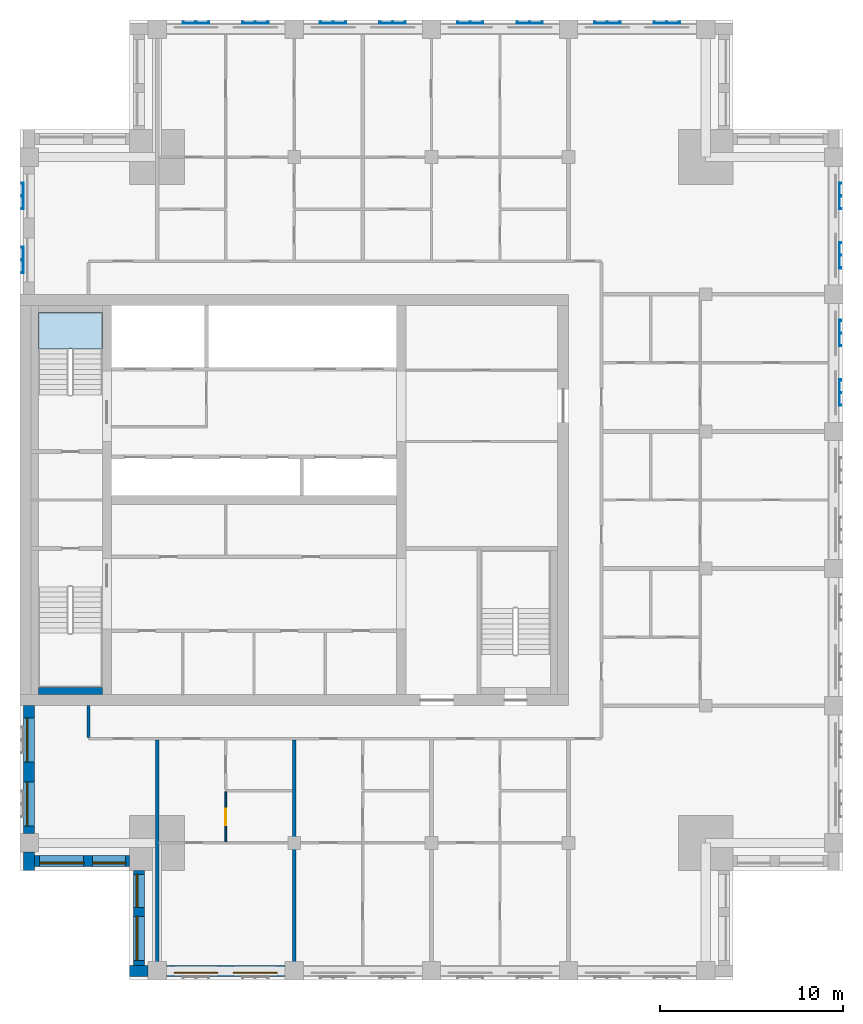
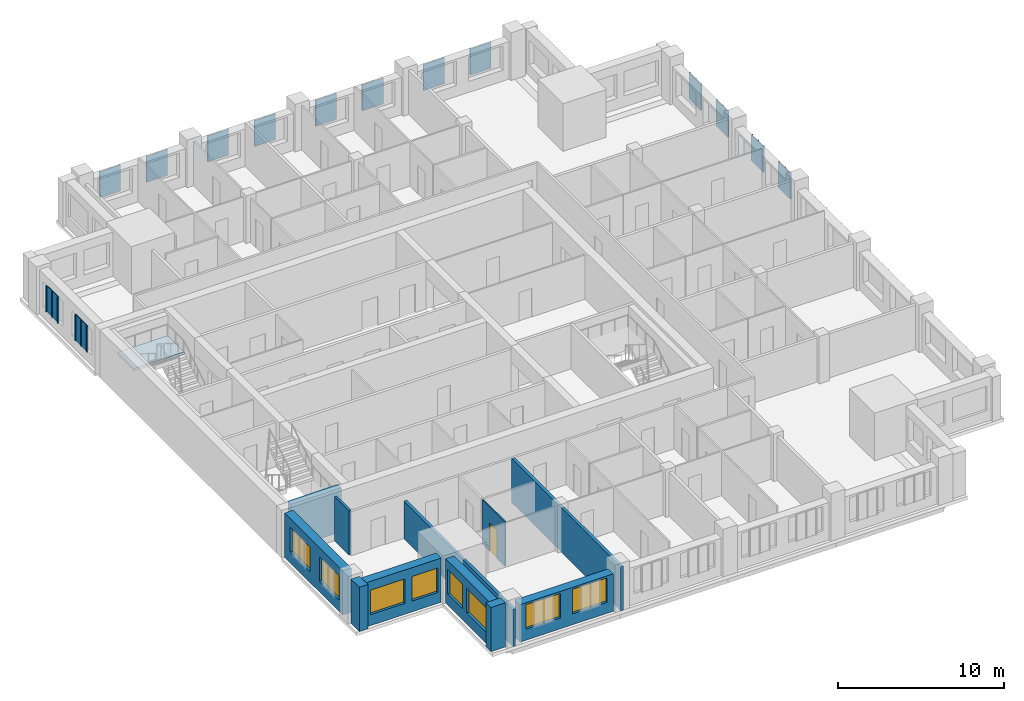
# One storey, part 2 of 10: 14 plates, 11 walls, 8 windows, 1 door, 1 slab, 9 openings, 1 element without a shape of its own.
"""IFC4 building model written with IfcOpenShell, lengths in metres."""

import ifcopenshell
import ifcopenshell.guid

model = None  # the IFC model being written
_history = None  # IfcOwnerHistory: only IFC2X3 demands one
_inside = {}  # id of a spatial element -> (the spatial element, [elements in it])
_under = {}  # id of a project, library or spatial element -> (it, [spatial elements below it])
_declared = {}  # id of a project -> (the project, [libraries it declares])
_typed = {}  # id of a type object -> (the type object, [elements of that type])
_made_of = {}  # id of a material, layer set ... -> (it, [elements and type objects made of it])


def new_model(schema):
    """Start an empty IFC model of exactly this schema.

    Asked for "IFC4X3", IfcOpenShell would pick the latest addendum, in which some entities
    have other attributes; the version numbers below select the first issue.
    IFC2X3 requires an IfcOwnerHistory on every rooted entity: one is made here for all.
    """
    global model, _history
    if schema == "IFC4X3":
        model = ifcopenshell.file(schema_version=(4, 3, 0, 0))
    else:
        model = ifcopenshell.file(schema=schema)
    _inside.clear()
    _under.clear()
    _declared.clear()
    _typed.clear()
    _made_of.clear()
    _history = None
    if model.schema == "IFC2X3":
        org = make("IfcOrganization", Name="unknown")
        user = make(
            "IfcPersonAndOrganization",
            ThePerson=make("IfcPerson", FamilyName="unknown"),
            TheOrganization=org,
        )
        app = make(
            "IfcApplication",
            ApplicationDeveloper=org,
            Version="unknown",
            ApplicationFullName="unknown",
            ApplicationIdentifier="unknown",
        )
        _history = make(
            "IfcOwnerHistory",
            OwningUser=user,
            OwningApplication=app,
            ChangeAction="ADDED",
            CreationDate=0,
        )
    return model


def make(cls, **values):
    """One entity of the class cls with the attributes given. An attribute that is None is left unset."""
    return model.create_entity(
        cls, **{name: value for name, value in values.items() if value is not None}
    )


def rooted(cls, **values):
    """An entity with a GlobalId (a new one), such as an element, a storey or a relation."""
    return make(cls, GlobalId=ifcopenshell.guid.new(), OwnerHistory=_history, **values)


def si_unit(unit_type, name, prefix=None):
    """IfcSIUnit, for example si_unit("LENGTHUNIT", "METRE", prefix="MILLI")."""
    return make("IfcSIUnit", UnitType=unit_type, Prefix=prefix, Name=name)


def assignment(units):
    """IfcUnitAssignment: the units of a project."""
    return None if units is None else make("IfcUnitAssignment", Units=units)


def point(xyz):
    """IfcCartesianPoint."""
    return None if xyz is None else make("IfcCartesianPoint", Coordinates=xyz)


def direction(xyz):
    """IfcDirection."""
    return None if xyz is None else make("IfcDirection", DirectionRatios=xyz)


def frame(location, z_axis=None, x_axis=None):
    """IfcAxis2Placement3D, a coordinate frame: its origin and axes. An axis left out is left unset."""
    return make(
        "IfcAxis2Placement3D",
        Location=point(location),
        Axis=direction(z_axis),
        RefDirection=direction(x_axis),
    )


def frame_2d(location, x_axis=None):
    """IfcAxis2Placement2D, a coordinate frame in the plane: its origin and x axis."""
    return make(
        "IfcAxis2Placement2D", Location=point(location), RefDirection=direction(x_axis)
    )


def origin():
    """The frame at (0, 0, 0) with its axes left unset."""
    return frame((0.0, 0.0, 0.0))


def place(relative_to, where):
    """IfcLocalPlacement: puts the frame where relative to a parent placement (None: the world)."""
    return make(
        "IfcLocalPlacement", PlacementRelTo=relative_to, RelativePlacement=where
    )


def context(
    kind, dimensions, precision=None, world=None, true_north=None, identifier=None
):
    """IfcGeometricRepresentationContext, for example the 3D "Model" context."""
    return make(
        "IfcGeometricRepresentationContext",
        ContextIdentifier=identifier,
        ContextType=kind,
        CoordinateSpaceDimension=dimensions,
        Precision=precision,
        WorldCoordinateSystem=world,
        TrueNorth=true_north,
    )


def subcontext(parent, identifier, kind, view, scale=None):
    """IfcGeometricRepresentationSubContext, for example "Body" below "Model"."""
    return make(
        "IfcGeometricRepresentationSubContext",
        ContextIdentifier=identifier,
        ContextType=kind,
        ParentContext=parent,
        TargetScale=scale,
        TargetView=view,
    )


def project(units=None, contexts=None):
    """IfcProject with its units and contexts."""
    return rooted(
        "IfcProject",
        Name="project",
        RepresentationContexts=contexts,
        UnitsInContext=assignment(units),
    )


def spatial(cls, under=None, at=None, **own):
    """A site, building, storey or space (cls), placed at a placement, below another one or the project."""
    s = rooted(cls, ObjectPlacement=at, **own)
    if under is not None:
        _under.setdefault(under.id(), (under, []))[1].append(s)
    return s


def polyline(points):
    """IfcPolyline through the points."""
    return make("IfcPolyline", Points=[point(p) for p in points])


def profile(cls, at=None, kind="AREA", **sizes):
    """A parametric profile (cls). Its sizes go by their IFC names, for example OverallWidth=200.0."""
    return make(cls, ProfileType=kind, Position=at, **sizes)


def rectangle(**sizes):
    """IfcRectangleProfileDef."""
    return profile("IfcRectangleProfileDef", **sizes)


def outline(outer, holes=None, kind="AREA"):
    """IfcArbitraryClosedProfileDef: a profile drawn as a closed curve; with holes, ...WithVoids."""
    if holes is None:
        return make("IfcArbitraryClosedProfileDef", ProfileType=kind, OuterCurve=outer)
    return make(
        "IfcArbitraryProfileDefWithVoids",
        ProfileType=kind,
        OuterCurve=outer,
        InnerCurves=holes,
    )


def extrude(swept, where, along, depth):
    """IfcExtrudedAreaSolid: the profile swept, set in the frame where, extruded along a direction by depth."""
    return make(
        "IfcExtrudedAreaSolid",
        SweptArea=swept,
        Position=where,
        ExtrudedDirection=direction(along),
        Depth=depth,
    )


def shape(context_of_items, identifier, shape_type, items):
    """IfcShapeRepresentation: the items that make up one representation, for example the "Body"."""
    return make(
        "IfcShapeRepresentation",
        ContextOfItems=context_of_items,
        RepresentationIdentifier=identifier,
        RepresentationType=shape_type,
        Items=items,
    )


def material(Name=None, Category=None):
    """IfcMaterial."""
    return make("IfcMaterial", Name=Name, Category=Category)


def layer(
    of_material, thickness, ventilated=None, Name=None, Category=None, Priority=None
):
    """IfcMaterialLayer: one layer of a wall or slab, of a material (None: an air gap)."""
    return make(
        "IfcMaterialLayer",
        Material=of_material,
        LayerThickness=thickness,
        IsVentilated=ventilated,
        Name=Name,
        Category=Category,
        Priority=Priority,
    )


def layer_set(layers, Name=None):
    """IfcMaterialLayerSet."""
    return make("IfcMaterialLayerSet", MaterialLayers=layers, LayerSetName=Name)


def made_of(thing, what):
    """Note that an element or type object is made of a material, layer set ...; save() writes the relation."""
    if what is not None:
        _made_of.setdefault(what.id(), (what, []))[1].append(thing)
    return thing


def type_object(cls, material=None, **own):
    """A type object (cls), such as IfcWallType, which elements share."""
    return made_of(rooted(cls, **own), material)


def element(
    cls,
    number,
    at=None,
    inside=None,
    cuts=None,
    type_object=None,
    material=None,
    context=None,
    identifier="Body",
    shape_type=None,
    held_by="IfcProductDefinitionShape",
    body=None,
    shapes=None,
    **own,
):
    """One element of the class cls, such as IfcWall. Its Tag is "e" and its number.

    at: its placement. inside: the storey or other place that contains it. cuts: it is an
    opening in that element (IfcRelVoidsElement). A single representation is given by context,
    identifier, shape_type and body (its items); several are given by shapes. held_by: the class
    of the entity that holds the representations. save() writes the other relations.
    """
    e = rooted(cls, Tag="e%d" % number, ObjectPlacement=at, **own)
    if body is not None:
        shapes = [shape(context, identifier, shape_type, body)]
    if shapes is not None:
        e.Representation = make(held_by, Representations=shapes)
    if inside is not None:
        _inside.setdefault(inside.id(), (inside, []))[1].append(e)
    if cuts is not None:
        rooted(
            "IfcRelVoidsElement", RelatingBuildingElement=cuts, RelatedOpeningElement=e
        )
    if type_object is not None:
        _typed.setdefault(type_object.id(), (type_object, []))[1].append(e)
    return made_of(e, material)


def fill(opening, filler):
    """IfcRelFillsElement: the door or window that sits in an opening."""
    return rooted(
        "IfcRelFillsElement",
        RelatingOpeningElement=opening,
        RelatedBuildingElement=filler,
    )


def aggregate(whole, parts):
    """IfcRelAggregates: a whole, such as a stair, and the parts it consists of."""
    return rooted("IfcRelAggregates", RelatingObject=whole, RelatedObjects=parts)


def save(model, path):
    """Write the relations noted so far, then the file.

    IfcRelAggregates (storeys below a building ...), IfcRelContainedInSpatialStructure (elements
    in a storey), IfcRelDefinesByType, IfcRelAssociatesMaterial and IfcRelDeclares: one each for
    every whole, place, type object, material and project.
    """
    for whole, parts in _under.values():
        aggregate(whole, parts)
    for where, things in _inside.values():
        rooted(
            "IfcRelContainedInSpatialStructure",
            RelatedElements=things,
            RelatingStructure=where,
        )
    for kind, things in _typed.values():
        rooted("IfcRelDefinesByType", RelatedObjects=things, RelatingType=kind)
    for what, things in _made_of.values():
        rooted("IfcRelAssociatesMaterial", RelatedObjects=things, RelatingMaterial=what)
    for by, libraries in _declared.values():
        rooted("IfcRelDeclares", RelatingContext=by, RelatedDefinitions=libraries)
    model.write(path)


model = new_model("IFC4")

# Units and contexts
model_context = context("Model", 3, precision=1e-05, world=origin(), true_north=direction((0.0, 1.0)))
body_context = subcontext(model_context, "Body", "Model", "MODEL_VIEW")
ifc_project = project(units=[si_unit("LENGTHUNIT", "METRE"), si_unit("AREAUNIT", "SQUARE_METRE"), si_unit("VOLUMEUNIT", "CUBIC_METRE"), si_unit("PLANEANGLEUNIT", "RADIAN"), si_unit("MASSUNIT", "GRAM", prefix="KILO")], contexts=[model_context])

# Site, building, storey
site_placement = place(None, origin())
site = spatial("IfcSite", under=ifc_project, at=site_placement, CompositionType="ELEMENT")
building_placement = place(site_placement, origin())
building = spatial("IfcBuilding", under=site, at=building_placement, Name="Tamorin Gate", CompositionType="ELEMENT")
storey_placement = place(building_placement, frame((0.0, 0.0, 276.699951171875)))
storey = spatial("IfcBuildingStorey", under=building, at=storey_placement, Name="L69", CompositionType="ELEMENT", Elevation=276.699951171875)

# Stair, slab
ifc_material_1 = material(Name="Concrete C40/50", Category="concrete")
stair_type = type_object("IfcStairType", Name="Exit stair", PredefinedType="HALF_TURN_STAIR", material=ifc_material_1)
stair_placement = place(storey_placement, origin())
stair = element("IfcStair", 1, at=stair_placement, inside=storey, type_object=stair_type, Name="L69 stair ST2", PredefinedType="HALF_TURN_STAIR")
ifc_layer_1 = layer(ifc_material_1, 0.199951171875)
ifc_layer_set_1 = layer_set([ifc_layer_1], Name="Exit stair landing 200")
slab_type = type_object("IfcSlabType", Name="Exit stair landing 200", PredefinedType="LANDING", material=ifc_layer_set_1)
slab_placement = place(storey_placement, frame((0.0, 0.0, 1.550048828125)))
slab = element("IfcSlab", 2, at=slab_placement, type_object=slab_type, Name="ST2 landing 1", PredefinedType="LANDING", context=body_context, shape_type="SweptSolid", body=[
    extrude(outline(polyline([(34.5, 79.52001953125), (34.5, 81.5), (31.0, 81.5), (31.0, 79.52001953125), (34.5, 79.52001953125)])), origin(), (0.0, 0.0, 1.0), 0.199951171875),
])
aggregate(stair, [slab])

# Plates
ifc_material_2 = material(Name="Perforated pale aluminium sheet", Category="aluminium")
ifc_layer_2 = layer(ifc_material_2, 0.0400390625)
ifc_layer_set_2 = layer_set([ifc_layer_2], Name="Pale metal solar screen 1440")
plate_type = type_object("IfcPlateType", Name="Pale metal solar screen 1440", PredefinedType="SHEET", material=ifc_layer_set_2)
plate_1_placement = place(storey_placement, frame((0.0, 0.0, 0.737548828125)))
element("IfcPlate", 3, at=plate_1_placement, inside=storey, type_object=plate_type, Name="Perforated solar screen", PredefinedType="SHEET", context=body_context, shape_type="SweptSolid", body=[
    extrude(outline(polyline([(74.840087890625, 76.405029296875), (74.800048828125, 76.405029296875), (74.800048828125, 76.465087890625), (74.800048828125, 77.094970703125), (74.800048828125, 77.155029296875), (74.800048828125, 77.784912109375), (74.800048828125, 77.844970703125), (74.840087890625, 77.844970703125), (74.89990234375, 77.844970703125), (74.89990234375, 77.784912109375), (74.840087890625, 77.784912109375), (74.840087890625, 77.155029296875), (74.89990234375, 77.155029296875), (74.89990234375, 77.094970703125), (74.840087890625, 77.094970703125), (74.840087890625, 76.465087890625), (74.89990234375, 76.465087890625), (74.89990234375, 76.405029296875), (74.840087890625, 76.405029296875)])), origin(), (0.0, 0.0, 1.0), 1.925048828125),
])
plate_2_placement = place(storey_placement, frame((0.0, 0.0, 0.737548828125)))
element("IfcPlate", 4, at=plate_2_placement, inside=storey, type_object=plate_type, Name="Perforated solar screen", PredefinedType="SHEET", context=body_context, shape_type="SweptSolid", body=[
    extrude(outline(polyline([(74.840087890625, 79.655029296875), (74.800048828125, 79.655029296875), (74.800048828125, 79.715087890625), (74.800048828125, 80.344970703125), (74.800048828125, 80.405029296875), (74.800048828125, 81.034912109375), (74.800048828125, 81.094970703125), (74.840087890625, 81.094970703125), (74.89990234375, 81.094970703125), (74.89990234375, 81.034912109375), (74.840087890625, 81.034912109375), (74.840087890625, 80.405029296875), (74.89990234375, 80.405029296875), (74.89990234375, 80.344970703125), (74.840087890625, 80.344970703125), (74.840087890625, 79.715087890625), (74.89990234375, 79.715087890625), (74.89990234375, 79.655029296875), (74.840087890625, 79.655029296875)])), origin(), (0.0, 0.0, 1.0), 1.925048828125),
])
plate_3_placement = place(storey_placement, frame((0.0, 0.0, 0.737548828125)))
element("IfcPlate", 5, at=plate_3_placement, inside=storey, type_object=plate_type, Name="Perforated solar screen", PredefinedType="SHEET", context=body_context, shape_type="SweptSolid", body=[
    extrude(outline(polyline([(74.840087890625, 83.905029296875), (74.800048828125, 83.905029296875), (74.800048828125, 83.965087890625), (74.800048828125, 84.594970703125), (74.800048828125, 84.655029296875), (74.800048828125, 85.284912109375), (74.800048828125, 85.344970703125), (74.840087890625, 85.344970703125), (74.89990234375, 85.344970703125), (74.89990234375, 85.284912109375), (74.840087890625, 85.284912109375), (74.840087890625, 84.655029296875), (74.89990234375, 84.655029296875), (74.89990234375, 84.594970703125), (74.840087890625, 84.594970703125), (74.840087890625, 83.965087890625), (74.89990234375, 83.965087890625), (74.89990234375, 83.905029296875), (74.840087890625, 83.905029296875)])), origin(), (0.0, 0.0, 1.0), 1.925048828125),
])
plate_4_placement = place(storey_placement, frame((0.0, 0.0, 0.737548828125)))
element("IfcPlate", 6, at=plate_4_placement, inside=storey, type_object=plate_type, Name="Perforated solar screen", PredefinedType="SHEET", context=body_context, shape_type="SweptSolid", body=[
    extrude(outline(polyline([(74.840087890625, 87.155029296875), (74.800048828125, 87.155029296875), (74.800048828125, 87.215087890625), (74.800048828125, 87.844970703125), (74.800048828125, 87.905029296875), (74.800048828125, 88.534912109375), (74.800048828125, 88.594970703125), (74.840087890625, 88.594970703125), (74.89990234375, 88.594970703125), (74.89990234375, 88.534912109375), (74.840087890625, 88.534912109375), (74.840087890625, 87.905029296875), (74.89990234375, 87.905029296875), (74.89990234375, 87.844970703125), (74.840087890625, 87.844970703125), (74.840087890625, 87.215087890625), (74.89990234375, 87.215087890625), (74.89990234375, 87.155029296875), (74.840087890625, 87.155029296875)])), origin(), (0.0, 0.0, 1.0), 1.925048828125),
])
plate_5_placement = place(storey_placement, frame((0.0, 0.0, 0.737548828125)))
element("IfcPlate", 7, at=plate_5_placement, inside=storey, type_object=plate_type, Name="Perforated solar screen", PredefinedType="SHEET", context=body_context, shape_type="SweptSolid", body=[
    extrude(outline(polyline([(62.844970703125, 97.340087890625), (62.844970703125, 97.300048828125), (62.784912109375, 97.300048828125), (62.155029296875, 97.300048828125), (62.094970703125, 97.300048828125), (61.465087890625, 97.300048828125), (61.405029296875, 97.300048828125), (61.405029296875, 97.300048828125), (61.405029296875, 97.340087890625), (61.405029296875, 97.340087890625), (61.405029296875, 97.39990234375), (61.465087890625, 97.39990234375), (61.465087890625, 97.340087890625), (62.094970703125, 97.340087890625), (62.094970703125, 97.39990234375), (62.155029296875, 97.39990234375), (62.155029296875, 97.340087890625), (62.784912109375, 97.340087890625), (62.784912109375, 97.39990234375), (62.844970703125, 97.39990234375), (62.844970703125, 97.340087890625)])), origin(), (0.0, 0.0, 1.0), 1.925048828125),
])
plate_6_placement = place(storey_placement, frame((0.0, 0.0, 0.737548828125)))
element("IfcPlate", 8, at=plate_6_placement, inside=storey, type_object=plate_type, Name="Perforated solar screen", PredefinedType="SHEET", context=body_context, shape_type="SweptSolid", body=[
    extrude(outline(polyline([(66.094970703125, 97.340087890625), (66.094970703125, 97.300048828125), (66.034912109375, 97.300048828125), (65.405029296875, 97.300048828125), (65.344970703125, 97.300048828125), (64.715087890625, 97.300048828125), (64.655029296875, 97.300048828125), (64.655029296875, 97.300048828125), (64.655029296875, 97.340087890625), (64.655029296875, 97.340087890625), (64.655029296875, 97.39990234375), (64.715087890625, 97.39990234375), (64.715087890625, 97.340087890625), (65.344970703125, 97.340087890625), (65.344970703125, 97.39990234375), (65.405029296875, 97.39990234375), (65.405029296875, 97.340087890625), (66.034912109375, 97.340087890625), (66.034912109375, 97.39990234375), (66.094970703125, 97.39990234375), (66.094970703125, 97.340087890625)])), origin(), (0.0, 0.0, 1.0), 1.925048828125),
])
plate_7_placement = place(storey_placement, frame((0.0, 0.0, 0.737548828125)))
element("IfcPlate", 9, at=plate_7_placement, inside=storey, type_object=plate_type, Name="Perforated solar screen", PredefinedType="SHEET", context=body_context, shape_type="SweptSolid", body=[
    extrude(outline(polyline([(55.344970703125, 97.340087890625), (55.344970703125, 97.300048828125), (55.284912109375, 97.300048828125), (54.655029296875, 97.300048828125), (54.594970703125, 97.300048828125), (53.965087890625, 97.300048828125), (53.905029296875, 97.300048828125), (53.905029296875, 97.340087890625), (53.905029296875, 97.39990234375), (53.965087890625, 97.39990234375), (53.965087890625, 97.340087890625), (54.594970703125, 97.340087890625), (54.594970703125, 97.39990234375), (54.655029296875, 97.39990234375), (54.655029296875, 97.340087890625), (55.284912109375, 97.340087890625), (55.284912109375, 97.39990234375), (55.344970703125, 97.39990234375), (55.344970703125, 97.340087890625)])), origin(), (0.0, 0.0, 1.0), 1.925048828125),
])
plate_8_placement = place(storey_placement, frame((0.0, 0.0, 0.737548828125)))
element("IfcPlate", 10, at=plate_8_placement, inside=storey, type_object=plate_type, Name="Perforated solar screen", PredefinedType="SHEET", context=body_context, shape_type="SweptSolid", body=[
    extrude(outline(polyline([(58.594970703125, 97.340087890625), (58.594970703125, 97.300048828125), (58.534912109375, 97.300048828125), (57.905029296875, 97.300048828125), (57.844970703125, 97.300048828125), (57.215087890625, 97.300048828125), (57.155029296875, 97.300048828125), (57.155029296875, 97.340087890625), (57.155029296875, 97.39990234375), (57.215087890625, 97.39990234375), (57.215087890625, 97.340087890625), (57.844970703125, 97.340087890625), (57.844970703125, 97.39990234375), (57.905029296875, 97.39990234375), (57.905029296875, 97.340087890625), (58.534912109375, 97.340087890625), (58.534912109375, 97.39990234375), (58.594970703125, 97.39990234375), (58.594970703125, 97.340087890625)])), origin(), (0.0, 0.0, 1.0), 1.925048828125),
])
plate_9_placement = place(storey_placement, frame((0.0, 0.0, 0.737548828125)))
element("IfcPlate", 11, at=plate_9_placement, inside=storey, type_object=plate_type, Name="Perforated solar screen", PredefinedType="SHEET", context=body_context, shape_type="SweptSolid", body=[
    extrude(outline(polyline([(47.844970703125, 97.340087890625), (47.844970703125, 97.300048828125), (47.784912109375, 97.300048828125), (47.155029296875, 97.300048828125), (47.094970703125, 97.300048828125), (46.465087890625, 97.300048828125), (46.405029296875, 97.300048828125), (46.405029296875, 97.340087890625), (46.405029296875, 97.39990234375), (46.465087890625, 97.39990234375), (46.465087890625, 97.340087890625), (47.094970703125, 97.340087890625), (47.094970703125, 97.39990234375), (47.155029296875, 97.39990234375), (47.155029296875, 97.340087890625), (47.784912109375, 97.340087890625), (47.784912109375, 97.39990234375), (47.844970703125, 97.39990234375), (47.844970703125, 97.340087890625)])), origin(), (0.0, 0.0, 1.0), 1.925048828125),
])
plate_10_placement = place(storey_placement, frame((0.0, 0.0, 0.737548828125)))
element("IfcPlate", 12, at=plate_10_placement, inside=storey, type_object=plate_type, Name="Perforated solar screen", PredefinedType="SHEET", context=body_context, shape_type="SweptSolid", body=[
    extrude(outline(polyline([(51.094970703125, 97.340087890625), (51.094970703125, 97.300048828125), (51.034912109375, 97.300048828125), (50.405029296875, 97.300048828125), (50.344970703125, 97.300048828125), (49.715087890625, 97.300048828125), (49.655029296875, 97.300048828125), (49.655029296875, 97.340087890625), (49.655029296875, 97.39990234375), (49.715087890625, 97.39990234375), (49.715087890625, 97.340087890625), (50.344970703125, 97.340087890625), (50.344970703125, 97.39990234375), (50.405029296875, 97.39990234375), (50.405029296875, 97.340087890625), (51.034912109375, 97.340087890625), (51.034912109375, 97.39990234375), (51.094970703125, 97.39990234375), (51.094970703125, 97.340087890625)])), origin(), (0.0, 0.0, 1.0), 1.925048828125),
])
plate_11_placement = place(storey_placement, frame((0.0, 0.0, 0.737548828125)))
element("IfcPlate", 13, at=plate_11_placement, inside=storey, type_object=plate_type, Name="Perforated solar screen", PredefinedType="SHEET", context=body_context, shape_type="SweptSolid", body=[
    extrude(outline(polyline([(40.344970703125, 97.340087890625), (40.344970703125, 97.300048828125), (40.284912109375, 97.300048828125), (39.655029296875, 97.300048828125), (39.594970703125, 97.300048828125), (38.965087890625, 97.300048828125), (38.905029296875, 97.300048828125), (38.905029296875, 97.340087890625), (38.905029296875, 97.39990234375), (38.965087890625, 97.39990234375), (38.965087890625, 97.340087890625), (39.594970703125, 97.340087890625), (39.594970703125, 97.39990234375), (39.655029296875, 97.39990234375), (39.655029296875, 97.340087890625), (40.284912109375, 97.340087890625), (40.284912109375, 97.39990234375), (40.344970703125, 97.39990234375), (40.344970703125, 97.340087890625)])), origin(), (0.0, 0.0, 1.0), 1.925048828125),
])
plate_12_placement = place(storey_placement, frame((0.0, 0.0, 0.737548828125)))
element("IfcPlate", 14, at=plate_12_placement, inside=storey, type_object=plate_type, Name="Perforated solar screen", PredefinedType="SHEET", context=body_context, shape_type="SweptSolid", body=[
    extrude(outline(polyline([(43.594970703125, 97.340087890625), (43.594970703125, 97.300048828125), (43.534912109375, 97.300048828125), (42.905029296875, 97.300048828125), (42.844970703125, 97.300048828125), (42.215087890625, 97.300048828125), (42.155029296875, 97.300048828125), (42.155029296875, 97.340087890625), (42.155029296875, 97.39990234375), (42.215087890625, 97.39990234375), (42.215087890625, 97.340087890625), (42.844970703125, 97.340087890625), (42.844970703125, 97.39990234375), (42.905029296875, 97.39990234375), (42.905029296875, 97.340087890625), (43.534912109375, 97.340087890625), (43.534912109375, 97.39990234375), (43.594970703125, 97.39990234375), (43.594970703125, 97.340087890625)])), origin(), (0.0, 0.0, 1.0), 1.925048828125),
])
plate_13_placement = place(storey_placement, frame((0.0, 0.0, 0.737548828125)))
element("IfcPlate", 15, at=plate_13_placement, inside=storey, type_object=plate_type, Name="Perforated solar screen", PredefinedType="SHEET", context=body_context, shape_type="SweptSolid", body=[
    extrude(outline(polyline([(30.159912109375, 85.094970703125), (30.199951171875, 85.094970703125), (30.199951171875, 85.034912109375), (30.199951171875, 84.405029296875), (30.199951171875, 84.344970703125), (30.199951171875, 83.715087890625), (30.199951171875, 83.655029296875), (30.199951171875, 83.655029296875), (30.159912109375, 83.655029296875), (30.159912109375, 83.655029296875), (30.10009765625, 83.655029296875), (30.10009765625, 83.715087890625), (30.159912109375, 83.715087890625), (30.159912109375, 84.344970703125), (30.10009765625, 84.344970703125), (30.10009765625, 84.405029296875), (30.159912109375, 84.405029296875), (30.159912109375, 85.034912109375), (30.10009765625, 85.034912109375), (30.10009765625, 85.094970703125), (30.159912109375, 85.094970703125)])), origin(), (0.0, 0.0, 1.0), 1.925048828125),
])
plate_14_placement = place(storey_placement, frame((0.0, 0.0, 0.737548828125)))
element("IfcPlate", 16, at=plate_14_placement, inside=storey, type_object=plate_type, Name="Perforated solar screen", PredefinedType="SHEET", context=body_context, shape_type="SweptSolid", body=[
    extrude(outline(polyline([(30.159912109375, 88.594970703125), (30.199951171875, 88.594970703125), (30.199951171875, 88.534912109375), (30.199951171875, 87.905029296875), (30.199951171875, 87.844970703125), (30.199951171875, 87.215087890625), (30.199951171875, 87.155029296875), (30.199951171875, 87.155029296875), (30.159912109375, 87.155029296875), (30.159912109375, 87.155029296875), (30.10009765625, 87.155029296875), (30.10009765625, 87.215087890625), (30.159912109375, 87.215087890625), (30.159912109375, 87.844970703125), (30.10009765625, 87.844970703125), (30.10009765625, 87.905029296875), (30.159912109375, 87.905029296875), (30.159912109375, 88.534912109375), (30.10009765625, 88.534912109375), (30.10009765625, 88.594970703125), (30.159912109375, 88.594970703125)])), origin(), (0.0, 0.0, 1.0), 1.925048828125),
])

# Wall
ifc_material_3 = material(Name="Precast concrete C40/50", Category="concrete")
ifc_layer_3 = layer(ifc_material_3, 0.60009765625)
ifc_layer_set_3 = layer_set([ifc_layer_3], Name="Precast concrete C40/50")
wall_type_1 = type_object("IfcWallType", Name="Board-marked concrete facade panel 600", PredefinedType="SOLIDWALL", material=ifc_layer_set_3)
wall_1_placement = place(storey_placement, frame((36.0, 45.5, 0.0), z_axis=(0.0, 0.0, 1.0), x_axis=(1.0, 0.0, 0.0)))
element("IfcWall", 17, at=wall_1_placement, inside=storey, type_object=wall_type_1, Name="Facade panel", PredefinedType="SOLIDWALL", context=body_context, shape_type="SweptSolid", body=[
    extrude(rectangle(XDim=1.0, YDim=0.60009765625, at=frame_2d((0.5, 0.0))), origin(), (0.0, 0.0, 1.0), 3.25),
])

# Wall, openings, windows
wall_2_placement = place(storey_placement, frame((38.0, 45.5, 0.0), z_axis=(0.0, 0.0, 1.0), x_axis=(1.0, 0.0, 0.0)))
wall_2 = element("IfcWall", 18, at=wall_2_placement, inside=storey, type_object=wall_type_1, Name="Facade panel", PredefinedType="SOLIDWALL", context=body_context, shape_type="SweptSolid", body=[
    extrude(rectangle(XDim=6.5, YDim=0.60009765625, at=frame_2d((3.25, 0.0))), origin(), (0.0, 0.0, 1.0), 2.75),
])
opening_1_placement = place(wall_2_placement, frame((0.425048828125, 0.0, 0.800048828125)))
opening_1 = element("IfcOpeningElement", 19, at=opening_1_placement, cuts=wall_2, Name="Opening WN1", PredefinedType="OPENING", context=body_context, shape_type="SweptSolid", body=[
    extrude(rectangle(XDim=2.39990234375, YDim=1.800048828125, at=frame_2d((1.199951171875, 0.89990234375))), frame((0.0, 0.31005859375, 0.0), z_axis=(0.0, -1.0, 0.0), x_axis=(1.0, 0.0, 0.0)), (0.0, 0.0, 1.0), 0.6201171875),
])
opening_2_placement = place(wall_2_placement, frame((3.675048828125, 0.0, 0.800048828125)))
opening_2 = element("IfcOpeningElement", 20, at=opening_2_placement, cuts=wall_2, Name="Opening WN1", PredefinedType="OPENING", context=body_context, shape_type="SweptSolid", body=[
    extrude(rectangle(XDim=2.39990234375, YDim=1.800048828125, at=frame_2d((1.199951171875, 0.89990234375))), frame((0.0, 0.31005859375, 0.0), z_axis=(0.0, -1.0, 0.0), x_axis=(1.0, 0.0, 0.0)), (0.0, 0.0, 1.0), 0.6201171875),
])
ifc_material_4 = material(Name="Clear glass in aluminium frame", Category="aluminium")
window_type_1 = type_object("IfcWindowType", Name="Deep-set window 2400x1800", PartitioningType="SINGLE_PANEL", PredefinedType="WINDOW", material=ifc_material_4)
window_1_placement = place(opening_1_placement, origin())
window_1 = element("IfcWindow", 21, at=window_1_placement, inside=storey, type_object=window_type_1, Name="Deep-set window", OverallHeight=1.800048828125, OverallWidth=2.39990234375, PartitioningType="SINGLE_PANEL", PredefinedType="WINDOW", context=body_context, shape_type="SweptSolid", body=[
    extrude(rectangle(XDim=2.39990234375, YDim=1.800048828125, at=frame_2d((1.199951171875, 0.89990234375))), frame((0.0, -0.070068359375, 0.0), z_axis=(0.0, -1.0, 0.0), x_axis=(1.0, 0.0, 0.0)), (0.0, 0.0, 1.0), 0.06005859375),
])
fill(opening_1, window_1)
window_2_placement = place(opening_2_placement, origin())
window_2 = element("IfcWindow", 22, at=window_2_placement, inside=storey, type_object=window_type_1, Name="Deep-set window", OverallHeight=1.800048828125, OverallWidth=2.39990234375, PartitioningType="SINGLE_PANEL", PredefinedType="WINDOW", context=body_context, shape_type="SweptSolid", body=[
    extrude(rectangle(XDim=2.39990234375, YDim=1.800048828125, at=frame_2d((1.199951171875, 0.89990234375))), frame((0.0, -0.070068359375, 0.0), z_axis=(0.0, -1.0, 0.0), x_axis=(1.0, 0.0, 0.0)), (0.0, 0.0, 1.0), 0.06005859375),
])
fill(opening_2, window_2)

wall_3_placement = place(storey_placement, frame((30.5, 60.0, 0.0), z_axis=(0.0, 0.0, 1.0), x_axis=(0.0, -1.0, 0.0)))
wall_3 = element("IfcWall", 23, at=wall_3_placement, inside=storey, type_object=wall_type_1, Name="Facade panel", PredefinedType="SOLIDWALL", context=body_context, shape_type="SweptSolid", body=[
    extrude(rectangle(XDim=7.0, YDim=0.60009765625, at=frame_2d((3.5, 0.0))), origin(), (0.0, 0.0, 1.0), 3.25),
])
opening_3_placement = place(wall_3_placement, frame((4.175048828125, 0.0, 0.800048828125)))
opening_3 = element("IfcOpeningElement", 24, at=opening_3_placement, cuts=wall_3, Name="Opening WN1", PredefinedType="OPENING", context=body_context, shape_type="SweptSolid", body=[
    extrude(rectangle(XDim=2.39990234375, YDim=1.800048828125, at=frame_2d((1.199951171875, 0.89990234375))), frame((0.0, 0.31005859375, 0.0), z_axis=(0.0, -1.0, 0.0), x_axis=(1.0, 0.0, 0.0)), (0.0, 0.0, 1.0), 0.6201171875),
])
opening_4_placement = place(wall_3_placement, frame((0.675048828125, 0.0, 0.800048828125)))
opening_4 = element("IfcOpeningElement", 25, at=opening_4_placement, cuts=wall_3, Name="Opening WN1", PredefinedType="OPENING", context=body_context, shape_type="SweptSolid", body=[
    extrude(rectangle(XDim=2.39990234375, YDim=1.800048828125, at=frame_2d((1.199951171875, 0.89990234375))), frame((0.0, 0.31005859375, 0.0), z_axis=(0.0, -1.0, 0.0), x_axis=(1.0, 0.0, 0.0)), (0.0, 0.0, 1.0), 0.6201171875),
])
window_3_placement = place(opening_3_placement, origin())
window_3 = element("IfcWindow", 26, at=window_3_placement, inside=storey, type_object=window_type_1, Name="Deep-set window", OverallHeight=1.800048828125, OverallWidth=2.39990234375, PartitioningType="SINGLE_PANEL", PredefinedType="WINDOW", context=body_context, shape_type="SweptSolid", body=[
    extrude(rectangle(XDim=2.39990234375, YDim=1.800048828125, at=frame_2d((1.199951171875, 0.89990234375))), frame((0.0, -0.070068359375, 0.0), z_axis=(0.0, -1.0, 0.0), x_axis=(1.0, 0.0, 0.0)), (0.0, 0.0, 1.0), 0.06005859375),
])
fill(opening_3, window_3)
window_4_placement = place(opening_4_placement, origin())
window_4 = element("IfcWindow", 27, at=window_4_placement, inside=storey, type_object=window_type_1, Name="Deep-set window", OverallHeight=1.800048828125, OverallWidth=2.39990234375, PartitioningType="SINGLE_PANEL", PredefinedType="WINDOW", context=body_context, shape_type="SweptSolid", body=[
    extrude(rectangle(XDim=2.39990234375, YDim=1.800048828125, at=frame_2d((1.199951171875, 0.89990234375))), frame((0.0, -0.070068359375, 0.0), z_axis=(0.0, -1.0, 0.0), x_axis=(1.0, 0.0, 0.0)), (0.0, 0.0, 1.0), 0.06005859375),
])
fill(opening_4, window_4)

# Wall
wall_4_placement = place(storey_placement, frame((30.5, 52.0, 0.0), z_axis=(0.0, 0.0, 1.0), x_axis=(0.0, -1.0, 0.0)))
element("IfcWall", 28, at=wall_4_placement, inside=storey, type_object=wall_type_1, Name="Facade panel", PredefinedType="SOLIDWALL", context=body_context, shape_type="SweptSolid", body=[
    extrude(rectangle(XDim=1.0, YDim=0.60009765625, at=frame_2d((0.5, 0.0))), origin(), (0.0, 0.0, 1.0), 3.25),
])

# Wall, openings, windows
wall_5_placement = place(storey_placement, frame((30.800048828125, 51.5, 0.0), z_axis=(0.0, 0.0, 1.0), x_axis=(1.0, 0.0, 0.0)))
wall_5 = element("IfcWall", 29, at=wall_5_placement, inside=storey, type_object=wall_type_1, Name="Facade panel", PredefinedType="SOLIDWALL", context=body_context, shape_type="SweptSolid", body=[
    extrude(rectangle(XDim=5.199951171875, YDim=0.60009765625, at=frame_2d((2.60009765625, 0.0))), origin(), (0.0, 0.0, 1.0), 3.25),
])
opening_5_placement = place(wall_5_placement, frame((0.27490234375, 0.0, 0.800048828125)))
opening_5 = element("IfcOpeningElement", 30, at=opening_5_placement, cuts=wall_5, Name="Opening WN1", PredefinedType="OPENING", context=body_context, shape_type="SweptSolid", body=[
    extrude(rectangle(XDim=2.39990234375, YDim=1.800048828125, at=frame_2d((1.199951171875, 0.89990234375))), frame((0.0, 0.31005859375, 0.0), z_axis=(0.0, -1.0, 0.0), x_axis=(1.0, 0.0, 0.0)), (0.0, 0.0, 1.0), 0.6201171875),
])
opening_6_placement = place(wall_5_placement, frame((3.175048828125, 0.0, 0.800048828125)))
opening_6 = element("IfcOpeningElement", 31, at=opening_6_placement, cuts=wall_5, Name="Opening WN2", PredefinedType="OPENING", context=body_context, shape_type="SweptSolid", body=[
    extrude(rectangle(XDim=1.800048828125, YDim=1.800048828125, at=frame_2d((0.89990234375, 0.89990234375))), frame((0.0, 0.31005859375, 0.0), z_axis=(0.0, -1.0, 0.0), x_axis=(1.0, 0.0, 0.0)), (0.0, 0.0, 1.0), 0.6201171875),
])
window_type_2 = type_object("IfcWindowType", Name="Deep-set window 1800x1800", PartitioningType="SINGLE_PANEL", PredefinedType="WINDOW", material=ifc_material_4)
window_5_placement = place(opening_6_placement, origin())
window_5 = element("IfcWindow", 32, at=window_5_placement, inside=storey, type_object=window_type_2, Name="Deep-set window", OverallHeight=1.800048828125, OverallWidth=1.800048828125, PartitioningType="SINGLE_PANEL", PredefinedType="WINDOW", context=body_context, shape_type="SweptSolid", body=[
    extrude(rectangle(XDim=1.800048828125, YDim=1.800048828125, at=frame_2d((0.89990234375, 0.89990234375))), frame((0.0, -0.070068359375, 0.0), z_axis=(0.0, -1.0, 0.0), x_axis=(1.0, 0.0, 0.0)), (0.0, 0.0, 1.0), 0.06005859375),
])
fill(opening_6, window_5)
window_6_placement = place(opening_5_placement, origin())
window_6 = element("IfcWindow", 33, at=window_6_placement, inside=storey, type_object=window_type_1, Name="Deep-set window", OverallHeight=1.800048828125, OverallWidth=2.39990234375, PartitioningType="SINGLE_PANEL", PredefinedType="WINDOW", context=body_context, shape_type="SweptSolid", body=[
    extrude(rectangle(XDim=2.39990234375, YDim=1.800048828125, at=frame_2d((1.199951171875, 0.89990234375))), frame((0.0, -0.070068359375, 0.0), z_axis=(0.0, -1.0, 0.0), x_axis=(1.0, 0.0, 0.0)), (0.0, 0.0, 1.0), 0.06005859375),
])
fill(opening_5, window_6)

wall_6_placement = place(storey_placement, frame((36.5, 51.0, 0.0), z_axis=(0.0, 0.0, 1.0), x_axis=(0.0, -1.0, 0.0)))
wall_6 = element("IfcWall", 34, at=wall_6_placement, inside=storey, type_object=wall_type_1, Name="Facade panel", PredefinedType="SOLIDWALL", context=body_context, shape_type="SweptSolid", body=[
    extrude(rectangle(XDim=5.199951171875, YDim=0.60009765625, at=frame_2d((2.60009765625, 0.0))), origin(), (0.0, 0.0, 1.0), 3.25),
])
opening_7_placement = place(wall_6_placement, frame((2.52490234375, 0.0, 0.800048828125)))
opening_7 = element("IfcOpeningElement", 35, at=opening_7_placement, cuts=wall_6, Name="Opening WN1", PredefinedType="OPENING", context=body_context, shape_type="SweptSolid", body=[
    extrude(rectangle(XDim=2.39990234375, YDim=1.800048828125, at=frame_2d((1.199951171875, 0.89990234375))), frame((0.0, 0.31005859375, 0.0), z_axis=(0.0, -1.0, 0.0), x_axis=(1.0, 0.0, 0.0)), (0.0, 0.0, 1.0), 0.6201171875),
])
opening_8_placement = place(wall_6_placement, frame((0.22509765625, 0.0, 0.800048828125)))
opening_8 = element("IfcOpeningElement", 36, at=opening_8_placement, cuts=wall_6, Name="Opening WN2", PredefinedType="OPENING", context=body_context, shape_type="SweptSolid", body=[
    extrude(rectangle(XDim=1.800048828125, YDim=1.800048828125, at=frame_2d((0.89990234375, 0.89990234375))), frame((0.0, 0.31005859375, 0.0), z_axis=(0.0, -1.0, 0.0), x_axis=(1.0, 0.0, 0.0)), (0.0, 0.0, 1.0), 0.6201171875),
])
window_7_placement = place(opening_8_placement, origin())
window_7 = element("IfcWindow", 37, at=window_7_placement, inside=storey, type_object=window_type_2, Name="Deep-set window", OverallHeight=1.800048828125, OverallWidth=1.800048828125, PartitioningType="SINGLE_PANEL", PredefinedType="WINDOW", context=body_context, shape_type="SweptSolid", body=[
    extrude(rectangle(XDim=1.800048828125, YDim=1.800048828125, at=frame_2d((0.89990234375, 0.89990234375))), frame((0.0, -0.070068359375, 0.0), z_axis=(0.0, -1.0, 0.0), x_axis=(1.0, 0.0, 0.0)), (0.0, 0.0, 1.0), 0.06005859375),
])
fill(opening_8, window_7)
window_8_placement = place(opening_7_placement, origin())
window_8 = element("IfcWindow", 38, at=window_8_placement, inside=storey, type_object=window_type_1, Name="Deep-set window", OverallHeight=1.800048828125, OverallWidth=2.39990234375, PartitioningType="SINGLE_PANEL", PredefinedType="WINDOW", context=body_context, shape_type="SweptSolid", body=[
    extrude(rectangle(XDim=2.39990234375, YDim=1.800048828125, at=frame_2d((1.199951171875, 0.89990234375))), frame((0.0, -0.070068359375, 0.0), z_axis=(0.0, -1.0, 0.0), x_axis=(1.0, 0.0, 0.0)), (0.0, 0.0, 1.0), 0.06005859375),
])
fill(opening_7, window_8)

# Walls
ifc_material_5 = material(Name="Gypsum board partition")
ifc_layer_4 = layer(ifc_material_5, 0.14990234375)
ifc_layer_set_4 = layer_set([ifc_layer_4], Name="Corridor wall 150")
wall_type_2 = type_object("IfcWallType", Name="Corridor wall 150", PredefinedType="PARTITIONING", material=ifc_layer_set_4)
wall_7_placement = place(storey_placement, frame((33.75, 58.27490234375, 0.0), z_axis=(0.0, 0.0, 1.0), x_axis=(0.0, 1.0, 0.0)))
element("IfcWall", 39, at=wall_7_placement, inside=storey, type_object=wall_type_2, Name="Corridor wall 150", PredefinedType="PARTITIONING", context=body_context, shape_type="SweptSolid", body=[
    extrude(rectangle(XDim=1.72509765625, YDim=0.14990234375, at=frame_2d((0.862548828125, 0.0))), origin(), (0.0, 0.0, 1.0), 3.25),
])
ifc_layer_5 = layer(ifc_material_5, 0.199951171875)
ifc_layer_set_5 = layer_set([ifc_layer_5], Name="Demising wall 200")
wall_type_3 = type_object("IfcWallType", Name="Demising wall 200", PredefinedType="PARTITIONING", material=ifc_layer_set_5)
wall_8_placement = place(storey_placement, frame((37.5, 45.0, 0.0), z_axis=(0.0, 0.0, 1.0), x_axis=(0.0, 1.0, 0.0)))
element("IfcWall", 40, at=wall_8_placement, inside=storey, type_object=wall_type_3, Name="Demising wall 200", PredefinedType="PARTITIONING", context=body_context, shape_type="SweptSolid", body=[
    extrude(rectangle(XDim=13.125, YDim=0.199951171875, at=frame_2d((6.5625, 0.0))), origin(), (0.0, 0.0, 1.0), 2.75),
])
wall_9_placement = place(storey_placement, frame((45.0, 45.0, 0.0), z_axis=(0.0, 0.0, 1.0), x_axis=(0.0, 1.0, 0.0)))
element("IfcWall", 41, at=wall_9_placement, inside=storey, type_object=wall_type_3, Name="Demising wall 200", PredefinedType="PARTITIONING", context=body_context, shape_type="SweptSolid", body=[
    extrude(rectangle(XDim=13.125, YDim=0.199951171875, at=frame_2d((6.5625, 0.0))), origin(), (0.0, 0.0, 1.0), 3.25),
])

# Wall, opening, door
ifc_layer_6 = layer(ifc_material_5, 0.10009765625)
ifc_layer_set_6 = layer_set([ifc_layer_6], Name="Room partition 100")
wall_type_4 = type_object("IfcWallType", Name="Room partition 100", PredefinedType="PARTITIONING", material=ifc_layer_set_6)
wall_10_placement = place(storey_placement, frame((41.25, 52.550048828125, 0.0), z_axis=(0.0, 0.0, 1.0), x_axis=(0.0, 1.0, 0.0)))
wall_10 = element("IfcWall", 42, at=wall_10_placement, inside=storey, type_object=wall_type_4, Name="Room partition 100", PredefinedType="PARTITIONING", context=body_context, shape_type="SweptSolid", body=[
    extrude(rectangle(XDim=2.737548828125, YDim=0.10009765625, at=frame_2d((1.36865234375, 0.0))), origin(), (0.0, 0.0, 1.0), 3.25),
])
opening_9_placement = place(wall_10_placement, frame((0.925048828125, 0.0, 0.0)))
opening_9 = element("IfcOpeningElement", 43, at=opening_9_placement, cuts=wall_10, Name="Opening DR11004", PredefinedType="OPENING", context=body_context, shape_type="SweptSolid", body=[
    extrude(rectangle(XDim=0.89990234375, YDim=2.10009765625, at=frame_2d((0.449951171875, 1.050048828125))), frame((0.0, 0.06005859375, 0.0), z_axis=(0.0, -1.0, 0.0), x_axis=(1.0, 0.0, 0.0)), (0.0, 0.0, 1.0), 0.1201171875),
])
ifc_material_6 = material(Name="Timber door leaf", Category="wood")
door_type = type_object("IfcDoorType", Name="Door 900 x 2100", OperationType="NOTDEFINED", PredefinedType="DOOR", material=ifc_material_6)
door_placement = place(opening_9_placement, origin())
door = element("IfcDoor", 44, at=door_placement, inside=storey, type_object=door_type, Name="Door DR11004", OperationType="SINGLE_SWING_RIGHT", OverallHeight=2.10009765625, OverallWidth=0.89990234375, PredefinedType="DOOR", context=body_context, shape_type="SweptSolid", body=[
    extrude(rectangle(XDim=0.89990234375, YDim=2.10009765625, at=frame_2d((0.449951171875, 1.050048828125))), frame((0.0, 0.02490234375, 0.0), z_axis=(0.0, -1.0, 0.0), x_axis=(1.0, 0.0, 0.0)), (0.0, 0.0, 1.0), 0.050048828125),
])
fill(opening_9, door)

# Wall
ifc_material_7 = material(Name="Concrete C50/60", Category="concrete")
ifc_layer_7 = layer(ifc_material_7, 0.39990234375)
ifc_layer_set_7 = layer_set([ifc_layer_7], Name="Stair lining wall 400 EI 120 C50/60")
wall_type_5 = type_object("IfcWallType", Name="Stair lining wall 400 EI 120 C50/60", PredefinedType="SOLIDWALL", material=ifc_layer_set_7)
wall_11_placement = place(storey_placement, frame((31.0, 60.800048828125, 0.0), z_axis=(0.0, 0.0, 1.0), x_axis=(1.0, 0.0, 0.0)))
element("IfcWall", 45, at=wall_11_placement, inside=storey, type_object=wall_type_5, Name="Stair lining wall", PredefinedType="SOLIDWALL", context=body_context, shape_type="SweptSolid", body=[
    extrude(rectangle(XDim=3.5, YDim=0.39990234375, at=frame_2d((1.75, 0.0))), origin(), (0.0, 0.0, 1.0), 3.25),
])

save(model, "model.ifc")
